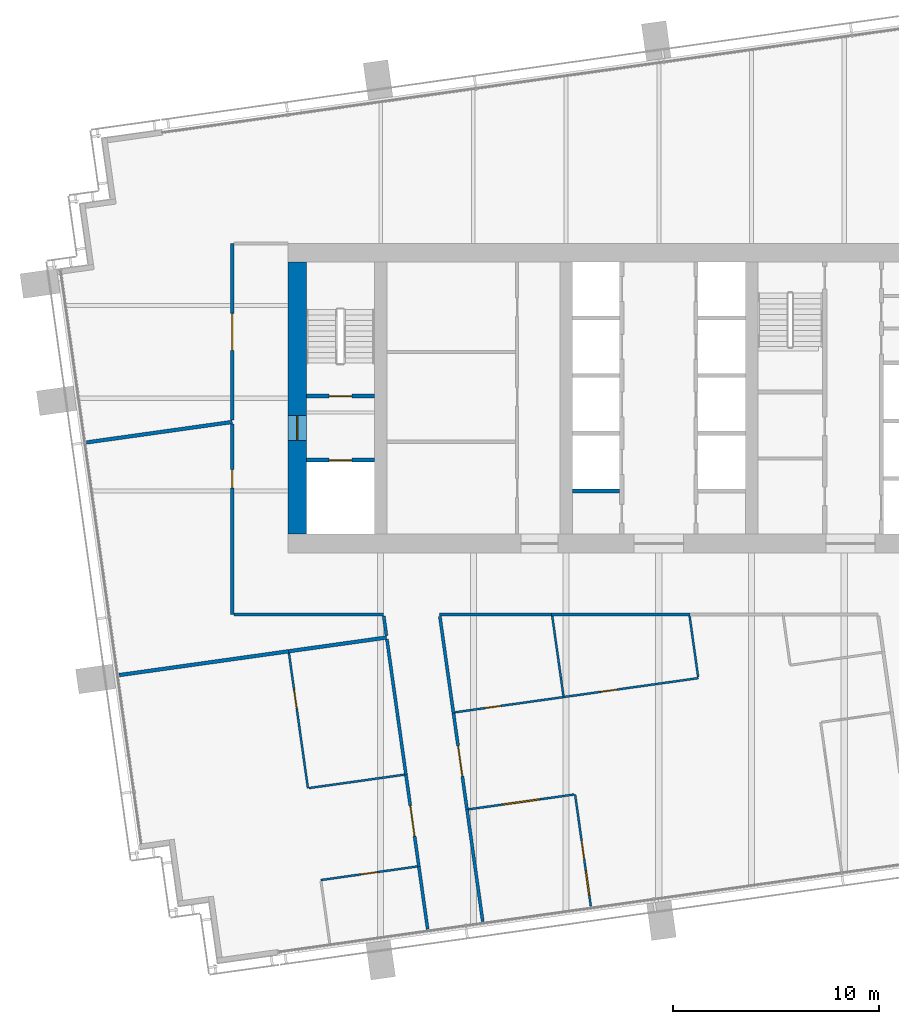
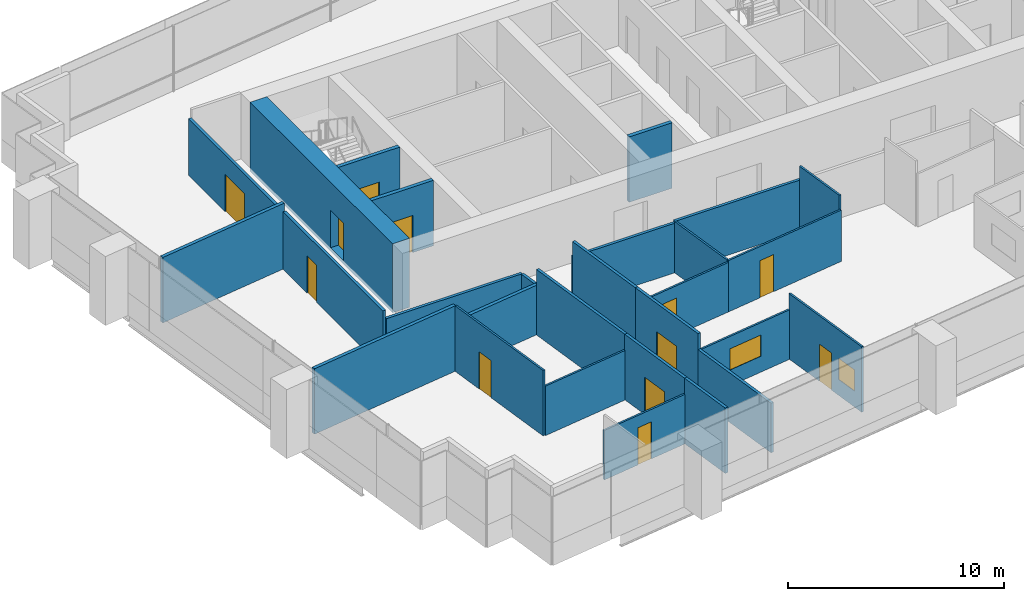
# One storey, part 9 of 18: 28 walls, 12 doors, 2 windows, 14 openings.
"""IFC4 building model written with IfcOpenShell, lengths in metres."""

from ifc_helpers import new_model, si_unit, direction, frame, frame_2d, origin, place, context, subcontext, project, spatial, rectangle, extrude, material, layer, layer_set, type_object, element, fill, save


model = new_model("IFC4")

# Units and contexts
model_context = context("Model", 3, precision=1e-05, world=origin(), true_north=direction((0.0, 1.0)))
body_context = subcontext(model_context, "Body", "Model", "MODEL_VIEW")
ifc_project = project(units=[si_unit("LENGTHUNIT", "METRE"), si_unit("AREAUNIT", "SQUARE_METRE"), si_unit("VOLUMEUNIT", "CUBIC_METRE"), si_unit("PLANEANGLEUNIT", "RADIAN"), si_unit("MASSUNIT", "GRAM", prefix="KILO")], contexts=[model_context])

# Site, building, storey
site_placement = place(None, origin())
site = spatial("IfcSite", under=ifc_project, at=site_placement, CompositionType="ELEMENT")
building_placement = place(site_placement, origin())
building = spatial("IfcBuilding", under=site, at=building_placement, Name="Rattan Terrace Tower", CompositionType="ELEMENT")
storey_placement = place(building_placement, frame((0.0, 0.0, 188.0)))
storey = spatial("IfcBuildingStorey", under=building, at=storey_placement, Name="L43", CompositionType="ELEMENT", Elevation=188.0)

# Wall, opening, door
ifc_material_1 = material(Name="Gypsum board partition")
ifc_layer_1 = layer(ifc_material_1, 0.199951171875)
ifc_layer_set_1 = layer_set([ifc_layer_1], Name="Core partition 200")
wall_type_1 = type_object("IfcWallType", Name="Core partition 200", PredefinedType="PARTITIONING", material=ifc_layer_set_1)
wall_1_placement = place(storey_placement, frame((-17.10009765625, -3.0, 0.0), z_axis=(0.0, 0.0, 1.0), x_axis=(1.0, 0.0, 0.0)))
wall_1 = element("IfcWall", 1, at=wall_1_placement, inside=storey, type_object=wall_type_1, Name="Fire-fighting lobby wall", PredefinedType="PARTITIONING", context=body_context, shape_type="SweptSolid", body=[
    extrude(rectangle(XDim=3.300048828125, YDim=0.199951171875, at=frame_2d((1.64990234375, 0.0))), origin(), (0.0, 0.0, 1.0), 3.699951171875),
])
opening_1_placement = place(wall_1_placement, frame((1.10009765625, 0.0, 0.0)))
opening_1 = element("IfcOpeningElement", 2, at=opening_1_placement, cuts=wall_1, Name="Opening L43-LD-FF1", PredefinedType="OPENING", context=body_context, shape_type="SweptSolid", body=[
    extrude(rectangle(XDim=1.10009765625, YDim=2.10009765625, at=frame_2d((0.550048828125, 1.050048828125))), frame((0.0, 0.110595703125, 0.0), z_axis=(0.0, -1.0, 0.0), x_axis=(1.0, 0.0, 0.0)), (0.0, 0.0, 1.0), 0.220947265625),
])
ifc_material_2 = material(Name="Brushed stainless landing door panel")
door_type_1 = type_object("IfcDoorType", Name="Core lift landing door 1100", OperationType="DOUBLE_DOOR_SLIDING", PredefinedType="DOOR", material=ifc_material_2)
door_1_placement = place(opening_1_placement, origin())
door_1 = element("IfcDoor", 3, at=door_1_placement, inside=storey, type_object=door_type_1, Name="Door L43-LD-FF1", OperationType="DOUBLE_DOOR_SLIDING", OverallHeight=2.10009765625, OverallWidth=1.10009765625, PredefinedType="DOOR", context=body_context, shape_type="SweptSolid", body=[
    extrude(rectangle(XDim=1.10009765625, YDim=2.10009765625, at=frame_2d((0.550048828125, 1.050048828125))), frame((0.0, 0.02490234375, 0.0), z_axis=(0.0, -1.0, 0.0), x_axis=(1.0, 0.0, 0.0)), (0.0, 0.0, 1.0), 0.050048828125),
])
fill(opening_1, door_1)

wall_2_placement = place(storey_placement, frame((-17.10009765625, 0.10009765625, 0.0), z_axis=(0.0, 0.0, 1.0), x_axis=(1.0, 0.0, 0.0)))
wall_2 = element("IfcWall", 4, at=wall_2_placement, inside=storey, type_object=wall_type_1, Name="Stair enclosure wall", PredefinedType="PARTITIONING", context=body_context, shape_type="SweptSolid", body=[
    extrude(rectangle(XDim=3.300048828125, YDim=0.199951171875, at=frame_2d((1.64990234375, 0.0))), origin(), (0.0, 0.0, 1.0), 3.699951171875),
])
opening_2_placement = place(wall_2_placement, frame((1.10009765625, 0.0, 0.0)))
opening_2 = element("IfcOpeningElement", 5, at=opening_2_placement, cuts=wall_2, Name="Opening L43-D002", PredefinedType="OPENING", context=body_context, shape_type="SweptSolid", body=[
    extrude(rectangle(XDim=1.10009765625, YDim=2.10009765625, at=frame_2d((0.550048828125, 1.050048828125))), frame((0.0, 0.110595703125, 0.0), z_axis=(0.0, -1.0, 0.0), x_axis=(1.0, 0.0, 0.0)), (0.0, 0.0, 1.0), 0.220947265625),
])
ifc_material_3 = material(Name="Hollow-metal fire door leaf")
door_type_2 = type_object("IfcDoorType", Name="Core stair door 1100", OperationType="NOTDEFINED", PredefinedType="DOOR", material=ifc_material_3)
door_2_placement = place(opening_2_placement, origin())
door_2 = element("IfcDoor", 6, at=door_2_placement, inside=storey, type_object=door_type_2, Name="Door L43-D002", OperationType="SINGLE_SWING_RIGHT", OverallHeight=2.10009765625, OverallWidth=1.10009765625, PredefinedType="DOOR", context=body_context, shape_type="SweptSolid", body=[
    extrude(rectangle(XDim=1.10009765625, YDim=2.10009765625, at=frame_2d((0.550048828125, 1.050048828125))), frame((0.0, 0.02490234375, 0.0), z_axis=(0.0, -1.0, 0.0), x_axis=(1.0, 0.0, 0.0)), (0.0, 0.0, 1.0), 0.050048828125),
])
fill(opening_2, door_2)

ifc_material_4 = material(Name="Concrete C60/75", Category="concrete")
ifc_layer_2 = layer(ifc_material_4, 0.89990234375)
ifc_layer_set_2 = layer_set([ifc_layer_2], Name="Core ring wall 900 C60/75")
wall_type_2 = type_object("IfcWallType", Name="Core ring wall 900 C60/75", PredefinedType="SHEAR", material=ifc_layer_set_2)
wall_3_placement = place(storey_placement, frame((-17.550048828125, -6.60009765625, -0.199951171875), z_axis=(0.0, 0.0, 1.0), x_axis=(0.0, 1.0, 0.0)))
wall_3 = element("IfcWall", 7, at=wall_3_placement, inside=storey, type_object=wall_type_2, Name="Rear core wall west", PredefinedType="SHEAR", context=body_context, shape_type="SweptSolid", body=[
    extrude(rectangle(XDim=13.2001953125, YDim=0.89990234375, at=frame_2d((6.60009765625, 0.0))), origin(), (0.0, 0.0, 1.0), 3.89990234375),
])
opening_3_placement = place(wall_3_placement, frame((4.550048828125, 0.0, 0.199951171875)))
opening_3 = element("IfcOpeningElement", 8, at=opening_3_placement, cuts=wall_3, Name="Opening L43-D001", PredefinedType="OPENING", context=body_context, shape_type="SweptSolid", body=[
    extrude(rectangle(XDim=1.199951171875, YDim=2.10009765625, at=frame_2d((0.60009765625, 1.050048828125))), frame((0.0, 0.46044921875, 0.0), z_axis=(0.0, -1.0, 0.0), x_axis=(1.0, 0.0, 0.0)), (0.0, 0.0, 1.0), 0.9208984375),
])
ifc_material_5 = material(Name="Hollow-metal fire door leaf")
door_type_3 = type_object("IfcDoorType", Name="Core fire-fighting lobby door 1200", OperationType="NOTDEFINED", PredefinedType="DOOR", material=ifc_material_5)
door_3_placement = place(opening_3_placement, origin())
door_3 = element("IfcDoor", 9, at=door_3_placement, inside=storey, type_object=door_type_3, Name="Door L43-D001", OperationType="SINGLE_SWING_LEFT", OverallHeight=2.10009765625, OverallWidth=1.199951171875, PredefinedType="DOOR", context=body_context, shape_type="SweptSolid", body=[
    extrude(rectangle(XDim=1.199951171875, YDim=2.10009765625, at=frame_2d((0.60009765625, 1.050048828125))), frame((0.0, 0.02490234375, 0.0), z_axis=(0.0, -1.0, 0.0), x_axis=(1.0, 0.0, 0.0)), (0.0, 0.0, 1.0), 0.050048828125),
])
fill(opening_3, door_3)

# Walls
ifc_material_6 = material(Name="Double steel stud acoustic partition, gypsum board, mineral wool, fire rated", Category="steel")
ifc_layer_3 = layer(ifc_material_6, 0.179931640625)
ifc_layer_set_3 = layer_set([ifc_layer_3], Name="Floors Acoustic Party Wall 180")
wall_type_3 = type_object("IfcWallType", Name="Floors Acoustic Party Wall 180", PredefinedType="PARTITIONING", material=ifc_layer_set_3)
wall_4_placement = place(storey_placement, frame((-26.18310546875, -13.43603515625, 0.0), z_axis=(0.0, 0.0, 1.0), x_axis=(0.990260506457, 0.139226898809, 0.0)))
element("IfcWall", 10, at=wall_4_placement, inside=storey, type_object=wall_type_3, Name="pt-L43-029", PredefinedType="PARTITIONING", context=body_context, shape_type="SweptSolid", body=[
    extrude(rectangle(XDim=8.302978515625, YDim=0.179931640625, at=frame_2d((4.1513671875, 0.0))), origin(), (0.0, 0.0, 1.0), 3.699951171875),
])
wall_5_placement = place(storey_placement, frame((-17.9609375, -12.280029296875, 0.0), z_axis=(0.0, 0.0, 1.0), x_axis=(0.990268412035, 0.139170658277, 0.0)))
element("IfcWall", 11, at=wall_5_placement, inside=storey, type_object=wall_type_3, Name="pt-L43-030", PredefinedType="PARTITIONING", context=body_context, shape_type="SweptSolid", body=[
    extrude(rectangle(XDim=4.799560546875, YDim=0.179931640625, at=frame_2d((2.39990234375, 0.0))), origin(), (0.0, 0.0, 1.0), 2.800048828125),
])
wall_6_placement = place(storey_placement, frame((-27.76904296875, -2.14599609375, 0.0), z_axis=(0.0, 0.0, 1.0), x_axis=(0.990279188786, 0.139093954785, 0.0)))
element("IfcWall", 12, at=wall_6_placement, inside=storey, type_object=wall_type_3, Name="pt-L43-039", PredefinedType="PARTITIONING", context=body_context, shape_type="SweptSolid", body=[
    extrude(rectangle(XDim=7.138427734375, YDim=0.179931640625, at=frame_2d((3.5693359375, 0.0))), origin(), (0.0, 0.0, 1.0), 3.699951171875),
])

# Wall, opening, door
ifc_material_7 = material(Name="Gypsum board partition on steel studs", Category="steel")
ifc_layer_4 = layer(ifc_material_7, 0.10009765625)
ifc_layer_set_4 = layer_set([ifc_layer_4], Name="Floors Partition 100")
wall_type_4 = type_object("IfcWallType", Name="Floors Partition 100", PredefinedType="PARTITIONING", material=ifc_layer_set_4)
wall_7_placement = place(storey_placement, frame((-11.720947265625, -22.722900390625, 0.0), z_axis=(0.0, 0.0, 1.0), x_axis=(-0.990254018594, -0.139273036368, 0.0)))
wall_7 = element("IfcWall", 13, at=wall_7_placement, inside=storey, type_object=wall_type_4, Name="pt-L43-026", PredefinedType="PARTITIONING", context=body_context, shape_type="SweptSolid", body=[
    extrude(rectangle(XDim=4.72607421875, YDim=0.10009765625, at=frame_2d((2.363037109375, 0.0))), origin(), (0.0, 0.0, 1.0), 2.800048828125),
])
opening_4_placement = place(wall_7_placement, frame((1.962890625, 0.0, 0.0)))
opening_4 = element("IfcOpeningElement", 14, at=opening_4_placement, cuts=wall_7, Name="Opening L43-D101", PredefinedType="OPENING", context=body_context, shape_type="SweptSolid", body=[
    extrude(rectangle(XDim=0.800048828125, YDim=2.10009765625, at=frame_2d((0.39990234375, 1.050048828125))), frame((0.0, 0.060546875, 0.0), z_axis=(0.0, -1.0, 0.0), x_axis=(1.0, 0.0, 0.0)), (0.0, 0.0, 1.0), 0.12109375),
])
ifc_material_8 = material(Name="Solid core timber door, painted", Category="wood")
door_type_4 = type_object("IfcDoorType", Name="Floors Store Door 800x2100", OperationType="NOTDEFINED", PredefinedType="DOOR", material=ifc_material_8)
door_4_placement = place(opening_4_placement, origin())
door_4 = element("IfcDoor", 15, at=door_4_placement, inside=storey, type_object=door_type_4, Name="d-L43-101", OperationType="SINGLE_SWING_RIGHT", OverallHeight=2.10009765625, OverallWidth=0.800048828125, PredefinedType="DOOR", context=body_context, shape_type="SweptSolid", body=[
    extrude(rectangle(XDim=0.800048828125, YDim=2.10009765625, at=frame_2d((0.39990234375, 1.050048828125))), frame((0.0, 0.02490234375, 0.0), z_axis=(0.0, -1.0, 0.0), x_axis=(1.0, 0.0, 0.0)), (0.0, 0.0, 1.0), 0.050048828125),
])
fill(opening_4, door_4)

wall_8_placement = place(storey_placement, frame((-17.948974609375, -12.368896484375, 0.0), z_axis=(0.0, 0.0, 1.0), x_axis=(0.1392424012, -0.990258326755, 0.0)))
wall_8 = element("IfcWall", 16, at=wall_8_placement, inside=storey, type_object=wall_type_4, Name="pt-L43-027", PredefinedType="PARTITIONING", context=body_context, shape_type="SweptSolid", body=[
    extrude(rectangle(XDim=6.62060546875, YDim=0.10009765625, at=frame_2d((3.310302734375, 0.0))), origin(), (0.0, 0.0, 1.0), 3.699951171875),
])
opening_5_placement = place(wall_8_placement, frame((1.81591796875, 0.0, 0.0)))
opening_5 = element("IfcOpeningElement", 17, at=opening_5_placement, cuts=wall_8, Name="Opening L43-D102", PredefinedType="OPENING", context=body_context, shape_type="SweptSolid", body=[
    extrude(rectangle(XDim=0.89990234375, YDim=2.10009765625, at=frame_2d((0.449951171875, 1.050048828125))), frame((0.0, 0.060546875, 0.0), z_axis=(0.0, -1.0, 0.0), x_axis=(1.0, 0.0, 0.0)), (0.0, 0.0, 1.0), 0.12109375),
])
ifc_material_9 = material(Name="Solid core timber door, painted", Category="wood")
door_type_5 = type_object("IfcDoorType", Name="Floors Door 900x2100", OperationType="NOTDEFINED", PredefinedType="DOOR", material=ifc_material_9)
door_5_placement = place(opening_5_placement, origin())
door_5 = element("IfcDoor", 18, at=door_5_placement, inside=storey, type_object=door_type_5, Name="d-L43-102", OperationType="SINGLE_SWING_LEFT", OverallHeight=2.10009765625, OverallWidth=0.89990234375, PredefinedType="DOOR", context=body_context, shape_type="SweptSolid", body=[
    extrude(rectangle(XDim=0.89990234375, YDim=2.10009765625, at=frame_2d((0.449951171875, 1.050048828125))), frame((0.0, 0.02490234375, 0.0), z_axis=(0.0, -1.0, 0.0), x_axis=(1.0, 0.0, 0.0)), (0.0, 0.0, 1.0), 0.050048828125),
])
fill(opening_5, door_5)

# Wall
wall_9_placement = place(storey_placement, frame((-16.97705078125, -18.91796875, 0.0), z_axis=(0.0, 0.0, 1.0), x_axis=(0.990292211818, 0.139001205793, 0.0)))
element("IfcWall", 19, at=wall_9_placement, inside=storey, type_object=wall_type_4, Name="pt-L43-028", PredefinedType="PARTITIONING", context=body_context, shape_type="SweptSolid", body=[
    extrude(rectangle(XDim=4.675537109375, YDim=0.10009765625, at=frame_2d((2.337890625, 0.0))), origin(), (0.0, 0.0, 1.0), 2.800048828125),
])

# Wall, opening, window
wall_10_placement = place(storey_placement, frame((-4.114013671875, -19.23095703125, 0.0), z_axis=(0.0, 0.0, 1.0), x_axis=(-0.990279259335, -0.139093452508, 0.0)))
wall_10 = element("IfcWall", 20, at=wall_10_placement, inside=storey, type_object=wall_type_4, Name="pt-L43-049", PredefinedType="PARTITIONING", context=body_context, shape_type="SweptSolid", body=[
    extrude(rectangle(XDim=5.169189453125, YDim=0.10009765625, at=frame_2d((2.58447265625, 0.0))), origin(), (0.0, 0.0, 1.0), 2.800048828125),
])
opening_6_placement = place(wall_10_placement, frame((1.68505859375, 0.0, 0.89990234375)))
opening_6 = element("IfcOpeningElement", 21, at=opening_6_placement, cuts=wall_10, Name="Opening L43-W101", PredefinedType="OPENING", context=body_context, shape_type="SweptSolid", body=[
    extrude(rectangle(XDim=1.800048828125, YDim=1.199951171875, at=frame_2d((0.89990234375, 0.60009765625))), frame((0.0, 0.060546875, 0.0), z_axis=(0.0, -1.0, 0.0), x_axis=(1.0, 0.0, 0.0)), (0.0, 0.0, 1.0), 0.12109375),
])
ifc_material_10 = material(Name="Glass, clear, fixed in aluminium frame", Category="aluminium")
window_type_1 = type_object("IfcWindowType", Name="Interior Vision Window 1800x1200", PartitioningType="SINGLE_PANEL", PredefinedType="WINDOW", material=ifc_material_10)
window_1_placement = place(opening_6_placement, origin())
window_1 = element("IfcWindow", 22, at=window_1_placement, inside=storey, type_object=window_type_1, Name="w-L43-101", OverallHeight=1.199951171875, OverallWidth=1.800048828125, PartitioningType="SINGLE_PANEL", PredefinedType="WINDOW", context=body_context, shape_type="SweptSolid", body=[
    extrude(rectangle(XDim=1.800048828125, YDim=1.199951171875, at=frame_2d((0.89990234375, 0.60009765625))), frame((0.0, 0.030029296875, 0.0), z_axis=(0.0, -1.0, 0.0), x_axis=(1.0, 0.0, 0.0)), (0.0, 0.0, 1.0), 0.06005859375),
])
fill(opening_6, window_1)

# Wall, openings, door, window
wall_11_placement = place(storey_placement, frame((-3.301025390625, -24.64990234375, 0.0), z_axis=(0.0, 0.0, 1.0), x_axis=(-0.139243907894, 0.990258114894, 0.0)))
wall_11 = element("IfcWall", 23, at=wall_11_placement, inside=storey, type_object=wall_type_4, Name="pt-L43-050", PredefinedType="PARTITIONING", context=body_context, shape_type="SweptSolid", body=[
    extrude(rectangle(XDim=5.479248046875, YDim=0.10009765625, at=frame_2d((2.73974609375, 0.0))), origin(), (0.0, 0.0, 1.0), 3.699951171875),
])
opening_7_placement = place(wall_11_placement, frame((2.2900390625, 0.0, 0.0)))
opening_7 = element("IfcOpeningElement", 24, at=opening_7_placement, cuts=wall_11, Name="Opening L43-D113", PredefinedType="OPENING", context=body_context, shape_type="SweptSolid", body=[
    extrude(rectangle(XDim=0.89990234375, YDim=2.10009765625, at=frame_2d((0.449951171875, 1.050048828125))), frame((0.0, 0.060546875, 0.0), z_axis=(0.0, -1.0, 0.0), x_axis=(1.0, 0.0, 0.0)), (0.0, 0.0, 1.0), 0.12109375),
])
opening_8_placement = place(wall_11_placement, frame((0.544921875, 0.0, 0.89990234375)))
opening_8 = element("IfcOpeningElement", 25, at=opening_8_placement, cuts=wall_11, Name="Opening L43-W102", PredefinedType="OPENING", context=body_context, shape_type="SweptSolid", body=[
    extrude(rectangle(XDim=1.199951171875, YDim=1.199951171875, at=frame_2d((0.60009765625, 0.60009765625))), frame((0.0, 0.060546875, 0.0), z_axis=(0.0, -1.0, 0.0), x_axis=(1.0, 0.0, 0.0)), (0.0, 0.0, 1.0), 0.12109375),
])
door_6_placement = place(opening_7_placement, origin())
door_6 = element("IfcDoor", 26, at=door_6_placement, inside=storey, type_object=door_type_5, Name="d-L43-113", OperationType="SINGLE_SWING_RIGHT", OverallHeight=2.10009765625, OverallWidth=0.89990234375, PredefinedType="DOOR", context=body_context, shape_type="SweptSolid", body=[
    extrude(rectangle(XDim=0.89990234375, YDim=2.10009765625, at=frame_2d((0.449951171875, 1.050048828125))), frame((0.0, 0.02490234375, 0.0), z_axis=(0.0, -1.0, 0.0), x_axis=(1.0, 0.0, 0.0)), (0.0, 0.0, 1.0), 0.050048828125),
])
fill(opening_7, door_6)
ifc_material_11 = material(Name="Glass, clear, fixed in aluminium frame", Category="aluminium")
window_type_2 = type_object("IfcWindowType", Name="Interior Vision Window 1200x1200", PartitioningType="SINGLE_PANEL", PredefinedType="WINDOW", material=ifc_material_11)
window_2_placement = place(opening_8_placement, origin())
window_2 = element("IfcWindow", 27, at=window_2_placement, inside=storey, type_object=window_type_2, Name="w-L43-102", OverallHeight=1.199951171875, OverallWidth=1.199951171875, PartitioningType="SINGLE_PANEL", PredefinedType="WINDOW", context=body_context, shape_type="SweptSolid", body=[
    extrude(rectangle(XDim=1.199951171875, YDim=1.199951171875, at=frame_2d((0.60009765625, 0.60009765625))), frame((0.0, 0.030029296875, 0.0), z_axis=(0.0, -1.0, 0.0), x_axis=(1.0, 0.0, 0.0)), (0.0, 0.0, 1.0), 0.06005859375),
])
fill(opening_8, window_2)

# Wall, opening, door
wall_12_placement = place(storey_placement, frame((-9.89501953125, -15.242919921875, 0.0), z_axis=(0.0, 0.0, 1.0), x_axis=(0.99027719117, 0.139108176064, 0.0)))
wall_12 = element("IfcWall", 28, at=wall_12_placement, inside=storey, type_object=wall_type_4, Name="pt-L43-053", PredefinedType="PARTITIONING", context=body_context, shape_type="SweptSolid", body=[
    extrude(rectangle(XDim=5.305419921875, YDim=0.10009765625, at=frame_2d((2.65283203125, 0.0))), origin(), (0.0, 0.0, 1.0), 2.800048828125),
])
opening_9_placement = place(wall_12_placement, frame((1.451904296875, 0.0, 0.0)))
opening_9 = element("IfcOpeningElement", 29, at=opening_9_placement, cuts=wall_12, Name="Opening L43-D115", PredefinedType="OPENING", context=body_context, shape_type="SweptSolid", body=[
    extrude(rectangle(XDim=0.800048828125, YDim=2.10009765625, at=frame_2d((0.39990234375, 1.050048828125))), frame((0.0, 0.060546875, 0.0), z_axis=(0.0, -1.0, 0.0), x_axis=(1.0, 0.0, 0.0)), (0.0, 0.0, 1.0), 0.12109375),
])
door_7_placement = place(opening_9_placement, origin())
door_7 = element("IfcDoor", 30, at=door_7_placement, inside=storey, type_object=door_type_4, Name="d-L43-115", OperationType="SINGLE_SWING_LEFT", OverallHeight=2.10009765625, OverallWidth=0.800048828125, PredefinedType="DOOR", context=body_context, shape_type="SweptSolid", body=[
    extrude(rectangle(XDim=0.800048828125, YDim=2.10009765625, at=frame_2d((0.39990234375, 1.050048828125))), frame((0.0, 0.02490234375, 0.0), z_axis=(0.0, -1.0, 0.0), x_axis=(1.0, 0.0, 0.0)), (0.0, 0.0, 1.0), 0.050048828125),
])
fill(opening_9, door_7)

wall_13_placement = place(storey_placement, frame((-4.64111328125, -14.5048828125, 0.0), z_axis=(0.0, 0.0, 1.0), x_axis=(0.990258326755, 0.1392424012, 0.0)))
wall_13 = element("IfcWall", 31, at=wall_13_placement, inside=storey, type_object=wall_type_4, Name="pt-L43-054", PredefinedType="PARTITIONING", context=body_context, shape_type="SweptSolid", body=[
    extrude(rectangle(XDim=6.62060546875, YDim=0.10009765625, at=frame_2d((3.310302734375, 0.0))), origin(), (0.0, 0.0, 1.0), 2.89990234375),
])
opening_10_placement = place(wall_13_placement, frame((1.845947265625, 0.0, 0.0)))
opening_10 = element("IfcOpeningElement", 32, at=opening_10_placement, cuts=wall_13, Name="Opening L43-D116", PredefinedType="OPENING", context=body_context, shape_type="SweptSolid", body=[
    extrude(rectangle(XDim=0.800048828125, YDim=2.10009765625, at=frame_2d((0.39990234375, 1.050048828125))), frame((0.0, 0.060546875, 0.0), z_axis=(0.0, -1.0, 0.0), x_axis=(1.0, 0.0, 0.0)), (0.0, 0.0, 1.0), 0.12109375),
])
door_8_placement = place(opening_10_placement, origin())
door_8 = element("IfcDoor", 33, at=door_8_placement, inside=storey, type_object=door_type_4, Name="d-L43-116", OperationType="SINGLE_SWING_LEFT", OverallHeight=2.10009765625, OverallWidth=0.800048828125, PredefinedType="DOOR", context=body_context, shape_type="SweptSolid", body=[
    extrude(rectangle(XDim=0.800048828125, YDim=2.10009765625, at=frame_2d((0.39990234375, 1.050048828125))), frame((0.0, 0.02490234375, 0.0), z_axis=(0.0, -1.0, 0.0), x_axis=(1.0, 0.0, 0.0)), (0.0, 0.0, 1.0), 0.050048828125),
])
fill(opening_10, door_8)

# Walls
wall_14_placement = place(storey_placement, frame((1.907958984375, -13.532958984375, 0.0), z_axis=(0.0, 0.0, 1.0), x_axis=(-0.138954956276, 0.990298702476, 0.0)))
element("IfcWall", 34, at=wall_14_placement, inside=storey, type_object=wall_type_4, Name="pt-L43-055", PredefinedType="PARTITIONING", context=body_context, shape_type="SweptSolid", body=[
    extrude(rectangle(XDim=2.993896484375, YDim=0.10009765625, at=frame_2d((1.4970703125, 0.0))), origin(), (0.0, 0.0, 1.0), 3.699951171875),
])
wall_15_placement = place(storey_placement, frame((-5.173095703125, -10.568115234375, 0.0), z_axis=(0.0, 0.0, 1.0), x_axis=(0.139006835826, -0.990291421549, 0.0)))
element("IfcWall", 35, at=wall_15_placement, inside=storey, type_object=wall_type_4, Name="pt-L43-058", PredefinedType="PARTITIONING", context=body_context, shape_type="SweptSolid", body=[
    extrude(rectangle(XDim=3.921875, YDim=0.10009765625, at=frame_2d((1.9609375, 0.0))), origin(), (0.0, 0.0, 1.0), 2.89990234375),
])

# Wall, opening, door
ifc_material_12 = material(Name="Gypsum board partition on steel studs, fire rated", Category="steel")
ifc_layer_5 = layer(ifc_material_12, 0.14990234375)
ifc_layer_set_5 = layer_set([ifc_layer_5], Name="Floors Tenancy Wall 150")
wall_type_5 = type_object("IfcWallType", Name="Floors Tenancy Wall 150", PredefinedType="PARTITIONING", material=ifc_layer_set_5)
wall_16_placement = place(storey_placement, frame((-11.64404296875, -22.73291015625, 0.0), z_axis=(0.0, 0.0, 1.0), x_axis=(-0.139081954514, 0.990280874262, 0.0)))
wall_16 = element("IfcWall", 36, at=wall_16_placement, inside=storey, type_object=wall_type_5, Name="pt-L43-001", PredefinedType="PARTITIONING", context=body_context, shape_type="SweptSolid", body=[
    extrude(rectangle(XDim=4.500732421875, YDim=0.14990234375, at=frame_2d((2.25048828125, 0.0))), origin(), (0.0, 0.0, 1.0), 3.699951171875),
])
opening_11_placement = place(wall_16_placement, frame((1.5, 0.0, 0.0)))
opening_11 = element("IfcOpeningElement", 37, at=opening_11_placement, cuts=wall_16, Name="Opening L43-D100", PredefinedType="OPENING", context=body_context, shape_type="SweptSolid", body=[
    extrude(rectangle(XDim=1.5, YDim=2.10009765625, at=frame_2d((0.75, 1.050048828125))), frame((0.0, 0.08544921875, 0.0), z_axis=(0.0, -1.0, 0.0), x_axis=(1.0, 0.0, 0.0)), (0.0, 0.0, 1.0), 0.1708984375),
])
ifc_material_13 = material(Name="Steel fire door set", Category="steel")
door_type_6 = type_object("IfcDoorType", Name="Floors Unit Door Pair FD30S 1500x2100", OperationType="NOTDEFINED", PredefinedType="DOOR", material=ifc_material_13)
door_9_placement = place(opening_11_placement, origin())
door_9 = element("IfcDoor", 38, at=door_9_placement, inside=storey, type_object=door_type_6, Name="d-L43-100", OperationType="DOUBLE_DOOR_SINGLE_SWING", OverallHeight=2.10009765625, OverallWidth=1.5, PredefinedType="DOOR", context=body_context, shape_type="SweptSolid", body=[
    extrude(rectangle(XDim=1.5, YDim=2.10009765625, at=frame_2d((0.75, 1.050048828125))), frame((0.0, 0.02490234375, 0.0), z_axis=(0.0, -1.0, 0.0), x_axis=(1.0, 0.0, 0.0)), (0.0, 0.0, 1.0), 0.050048828125),
])
fill(opening_11, door_9)

# Walls
wall_17_placement = place(storey_placement, frame((-11.218017578125, -25.762939453125, 0.0), z_axis=(0.0, 0.0, 1.0), x_axis=(-0.139187613425, 0.990266029039, 0.0)))
element("IfcWall", 39, at=wall_17_placement, inside=storey, type_object=wall_type_5, Name="pt-L43-002", PredefinedType="PARTITIONING", context=body_context, shape_type="SweptSolid", body=[
    extrude(rectangle(XDim=3.060791015625, YDim=0.14990234375, at=frame_2d((1.5302734375, 0.0))), origin(), (0.0, 0.0, 1.0), 3.699951171875),
])
wall_18_placement = place(storey_placement, frame((-12.27001953125, -18.277099609375, 0.0), z_axis=(0.0, 0.0, 1.0), x_axis=(-0.139151184207, 0.990271148693, 0.0)))
element("IfcWall", 40, at=wall_18_placement, inside=storey, type_object=wall_type_5, Name="pt-L43-003", PredefinedType="PARTITIONING", context=body_context, shape_type="SweptSolid", body=[
    extrude(rectangle(XDim=6.640869140625, YDim=0.14990234375, at=frame_2d((3.3203125, 0.0))), origin(), (0.0, 0.0, 1.0), 3.699951171875),
])

# Wall, opening, door
wall_19_placement = place(storey_placement, frame((-20.699951171875, -10.5, 0.0), z_axis=(0.0, 0.0, 1.0), x_axis=(0.0, 1.0, 0.0)))
wall_19 = element("IfcWall", 41, at=wall_19_placement, inside=storey, type_object=wall_type_5, Name="pt-L43-007", PredefinedType="PARTITIONING", context=body_context, shape_type="SweptSolid", body=[
    extrude(rectangle(XDim=9.24609375, YDim=0.14990234375, at=frame_2d((4.623046875, 0.0))), origin(), (0.0, 0.0, 1.0), 3.25),
])
opening_12_placement = place(wall_19_placement, frame((6.134033203125, 0.0, 0.0)))
opening_12 = element("IfcOpeningElement", 42, at=opening_12_placement, cuts=wall_19, Name="Opening L43-D106", PredefinedType="OPENING", context=body_context, shape_type="SweptSolid", body=[
    extrude(rectangle(XDim=0.89990234375, YDim=2.10009765625, at=frame_2d((0.449951171875, 1.050048828125))), frame((0.0, 0.08544921875, 0.0), z_axis=(0.0, -1.0, 0.0), x_axis=(1.0, 0.0, 0.0)), (0.0, 0.0, 1.0), 0.1708984375),
])
ifc_material_14 = material(Name="Steel fire door set", Category="steel")
door_type_7 = type_object("IfcDoorType", Name="Floors Fire Door FD30S 900x2100", OperationType="NOTDEFINED", PredefinedType="DOOR", material=ifc_material_14)
door_10_placement = place(opening_12_placement, origin())
door_10 = element("IfcDoor", 43, at=door_10_placement, inside=storey, type_object=door_type_7, Name="d-L43-106", OperationType="SINGLE_SWING_RIGHT", OverallHeight=2.10009765625, OverallWidth=0.89990234375, PredefinedType="DOOR", context=body_context, shape_type="SweptSolid", body=[
    extrude(rectangle(XDim=0.89990234375, YDim=2.10009765625, at=frame_2d((0.449951171875, 1.050048828125))), frame((0.0, 0.02490234375, 0.0), z_axis=(0.0, -1.0, 0.0), x_axis=(1.0, 0.0, 0.0)), (0.0, 0.0, 1.0), 0.050048828125),
])
fill(opening_12, door_10)

# Walls
wall_20_placement = place(storey_placement, frame((-13.363037109375, -10.5, 0.0), z_axis=(0.0, 0.0, 1.0), x_axis=(-1.0, 0.0, 0.0)))
element("IfcWall", 44, at=wall_20_placement, inside=storey, type_object=wall_type_5, Name="pt-L43-008", PredefinedType="PARTITIONING", context=body_context, shape_type="SweptSolid", body=[
    extrude(rectangle(XDim=7.261962890625, YDim=0.14990234375, at=frame_2d((3.630859375, 0.0))), origin(), (0.0, 0.0, 1.0), 2.800048828125),
])
wall_21_placement = place(storey_placement, frame((-13.217041015625, -11.52197265625, 0.0), z_axis=(0.0, 0.0, 1.0), x_axis=(-0.138852741578, 0.990313039476, 0.0)))
element("IfcWall", 45, at=wall_21_placement, inside=storey, type_object=wall_type_5, Name="pt-L43-009", PredefinedType="PARTITIONING", context=body_context, shape_type="SweptSolid", body=[
    extrude(rectangle(XDim=0.958251953125, YDim=0.14990234375, at=frame_2d((0.47900390625, 0.0))), origin(), (0.0, 0.0, 1.0), 2.800048828125),
])

# Wall, opening, door
wall_22_placement = place(storey_placement, frame((-20.699951171875, -1.06396484375, 0.0), z_axis=(0.0, 0.0, 1.0), x_axis=(0.0, 1.0, 0.0)))
wall_22 = element("IfcWall", 46, at=wall_22_placement, inside=storey, type_object=wall_type_5, Name="pt-L43-011", PredefinedType="PARTITIONING", context=body_context, shape_type="SweptSolid", body=[
    extrude(rectangle(XDim=8.56396484375, YDim=0.14990234375, at=frame_2d((4.281982421875, 0.0))), origin(), (0.0, 0.0, 1.0), 3.199951171875),
])
opening_13_placement = place(wall_22_placement, frame((3.382080078125, 0.0, 0.0)))
opening_13 = element("IfcOpeningElement", 47, at=opening_13_placement, cuts=wall_22, Name="Opening L43-D110", PredefinedType="OPENING", context=body_context, shape_type="SweptSolid", body=[
    extrude(rectangle(XDim=1.800048828125, YDim=2.10009765625, at=frame_2d((0.89990234375, 1.050048828125))), frame((0.0, 0.08544921875, 0.0), z_axis=(0.0, -1.0, 0.0), x_axis=(1.0, 0.0, 0.0)), (0.0, 0.0, 1.0), 0.1708984375),
])
ifc_material_15 = material(Name="Steel fire door set", Category="steel")
door_type_8 = type_object("IfcDoorType", Name="Floors Fire Door Pair FD30S 1800x2100", OperationType="NOTDEFINED", PredefinedType="DOOR", material=ifc_material_15)
door_11_placement = place(opening_13_placement, origin())
door_11 = element("IfcDoor", 48, at=door_11_placement, inside=storey, type_object=door_type_8, Name="d-L43-110", OperationType="DOUBLE_DOOR_SINGLE_SWING", OverallHeight=2.10009765625, OverallWidth=1.800048828125, PredefinedType="DOOR", context=body_context, shape_type="SweptSolid", body=[
    extrude(rectangle(XDim=1.800048828125, YDim=2.10009765625, at=frame_2d((0.89990234375, 1.050048828125))), frame((0.0, 0.02490234375, 0.0), z_axis=(0.0, -1.0, 0.0), x_axis=(1.0, 0.0, 0.0)), (0.0, 0.0, 1.0), 0.050048828125),
])
fill(opening_13, door_11)

wall_23_placement = place(storey_placement, frame((-9.966064453125, -15.27294921875, 0.0), z_axis=(0.0, 0.0, 1.0), x_axis=(0.139137407344, -0.990273084496, 0.0)))
wall_23 = element("IfcWall", 49, at=wall_23_placement, inside=storey, type_object=wall_type_5, Name="pt-L43-015", PredefinedType="PARTITIONING", context=body_context, shape_type="SweptSolid", body=[
    extrude(rectangle(XDim=4.71484375, YDim=0.14990234375, at=frame_2d((2.357421875, 0.0))), origin(), (0.0, 0.0, 1.0), 3.699951171875),
])
opening_14_placement = place(wall_23_placement, frame((1.60693359375, 0.0, 0.0)))
opening_14 = element("IfcOpeningElement", 50, at=opening_14_placement, cuts=wall_23, Name="Opening L43-D112", PredefinedType="OPENING", context=body_context, shape_type="SweptSolid", body=[
    extrude(rectangle(XDim=1.5, YDim=2.10009765625, at=frame_2d((0.75, 1.050048828125))), frame((0.0, 0.08544921875, 0.0), z_axis=(0.0, -1.0, 0.0), x_axis=(1.0, 0.0, 0.0)), (0.0, 0.0, 1.0), 0.1708984375),
])
door_12_placement = place(opening_14_placement, origin())
door_12 = element("IfcDoor", 51, at=door_12_placement, inside=storey, type_object=door_type_6, Name="d-L43-112", OperationType="DOUBLE_DOOR_SINGLE_SWING", OverallHeight=2.10009765625, OverallWidth=1.5, PredefinedType="DOOR", context=body_context, shape_type="SweptSolid", body=[
    extrude(rectangle(XDim=1.5, YDim=2.10009765625, at=frame_2d((0.75, 1.050048828125))), frame((0.0, 0.02490234375, 0.0), z_axis=(0.0, -1.0, 0.0), x_axis=(1.0, 0.0, 0.0)), (0.0, 0.0, 1.0), 0.050048828125),
])
fill(opening_14, door_12)

# Walls
wall_24_placement = place(storey_placement, frame((-9.31005859375, -19.94091796875, 0.0), z_axis=(0.0, 0.0, 1.0), x_axis=(0.139103174181, -0.990277893792, 0.0)))
element("IfcWall", 52, at=wall_24_placement, inside=storey, type_object=wall_type_5, Name="pt-L43-018", PredefinedType="PARTITIONING", context=body_context, shape_type="SweptSolid", body=[
    extrude(rectangle(XDim=5.50048828125, YDim=0.14990234375, at=frame_2d((2.750244140625, 0.0))), origin(), (0.0, 0.0, 1.0), 2.800048828125),
])
wall_25_placement = place(storey_placement, frame((-10.625, -10.5849609375, 0.0), z_axis=(0.0, 0.0, 1.0), x_axis=(0.138987741071, -0.990294101685, 0.0)))
element("IfcWall", 53, at=wall_25_placement, inside=storey, type_object=wall_type_5, Name="pt-L43-020", PredefinedType="PARTITIONING", context=body_context, shape_type="SweptSolid", body=[
    extrude(rectangle(XDim=4.73388671875, YDim=0.14990234375, at=frame_2d((2.366943359375, 0.0))), origin(), (0.0, 0.0, 1.0), 3.699951171875),
])
wall_26_placement = place(storey_placement, frame((-5.202880859375, -10.5, 0.0), z_axis=(0.0, 0.0, 1.0), x_axis=(-1.0, 0.0, 0.0)))
element("IfcWall", 54, at=wall_26_placement, inside=storey, type_object=wall_type_5, Name="pt-L43-021", PredefinedType="PARTITIONING", context=body_context, shape_type="SweptSolid", body=[
    extrude(rectangle(XDim=5.43408203125, YDim=0.14990234375, at=frame_2d((2.717041015625, 0.0))), origin(), (0.0, 0.0, 1.0), 2.800048828125),
])
wall_27_placement = place(storey_placement, frame((1.501953125, -10.5, 0.0), z_axis=(0.0, 0.0, 1.0), x_axis=(-1.0, 0.0, 0.0)))
element("IfcWall", 55, at=wall_27_placement, inside=storey, type_object=wall_type_5, Name="pt-L43-022", PredefinedType="PARTITIONING", context=body_context, shape_type="SweptSolid", body=[
    extrude(rectangle(XDim=6.704833984375, YDim=0.14990234375, at=frame_2d((3.3525390625, 0.0))), origin(), (0.0, 0.0, 1.0), 2.89990234375),
])
ifc_material_16 = material(Name="Gypsum shaft wall system")
ifc_layer_6 = layer(ifc_material_16, 0.199951171875)
ifc_layer_set_6 = layer_set([ifc_layer_6], Name="Lift shaft wall 200")
wall_type_6 = type_object("IfcWallType", Name="Lift shaft wall 200", PredefinedType="PARTITIONING", material=ifc_layer_set_6)
wall_28_placement = place(storey_placement, frame((-4.199951171875, -4.5, 0.0), z_axis=(0.0, 0.0, 1.0), x_axis=(1.0, 0.0, 0.0)))
element("IfcWall", 56, at=wall_28_placement, inside=storey, type_object=wall_type_6, Name="Lift shaft wall", PredefinedType="PARTITIONING", context=body_context, shape_type="SweptSolid", body=[
    extrude(rectangle(XDim=2.300048828125, YDim=0.199951171875, at=frame_2d((1.14990234375, 0.0))), origin(), (0.0, 0.0, 1.0), 3.699951171875),
])

save(model, "model.ifc")
